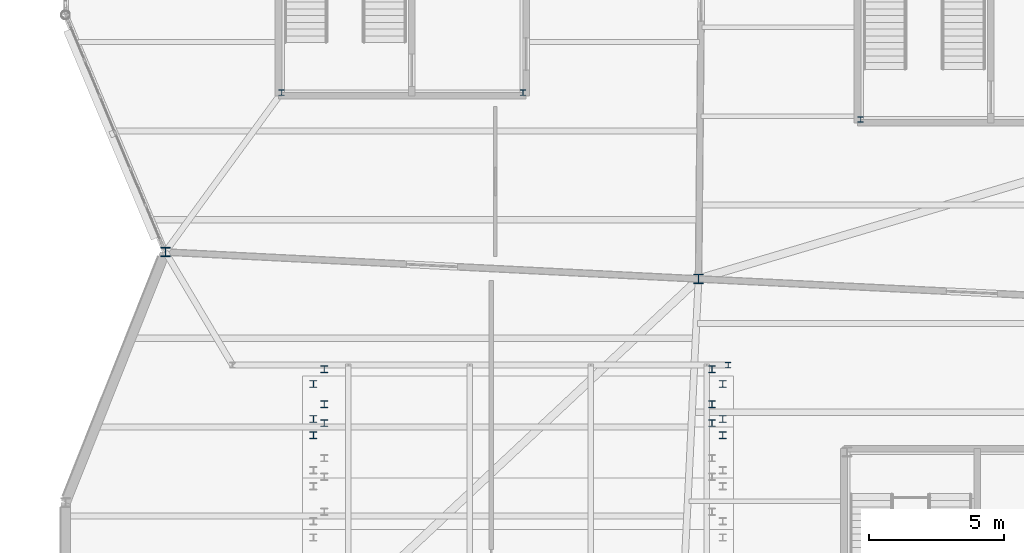
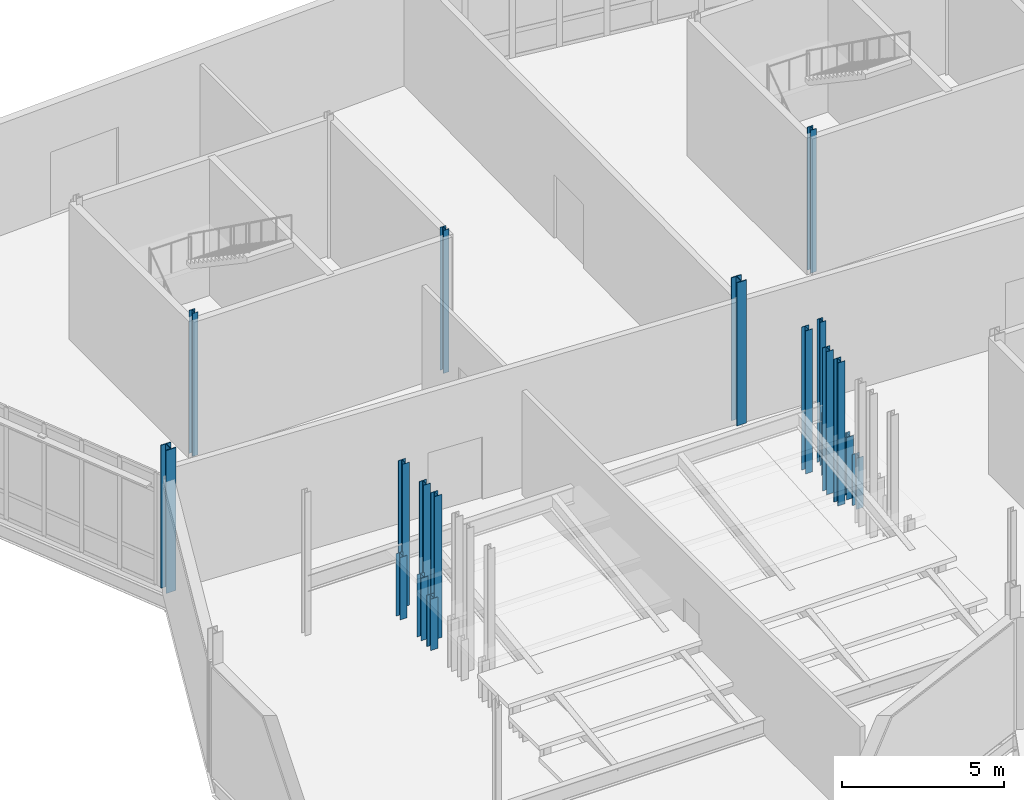
# One storey, part 3 of 113: 18 columns.
"""IFC4 building model written with IfcOpenShell, lengths in metres."""

from ifc_helpers import new_model, si_unit, direction, frame, origin, origin_2d, place, context, subcontext, project, spatial, i_section, extrude, material, material_profile, profile_set, type_object, element, save


model = new_model("IFC4")

# Units and contexts
model_context = context("Model", 3, precision=1e-05, world=origin(), true_north=direction((0.0, 1.0)))
body_context = subcontext(model_context, "Body", "Model", "MODEL_VIEW")
ifc_project = project(units=[si_unit("LENGTHUNIT", "METRE"), si_unit("AREAUNIT", "SQUARE_METRE"), si_unit("VOLUMEUNIT", "CUBIC_METRE"), si_unit("PLANEANGLEUNIT", "RADIAN"), si_unit("MASSUNIT", "GRAM", prefix="KILO")], contexts=[model_context])

# Site, building, storey
site_placement = place(None, origin())
site = spatial("IfcSite", under=ifc_project, at=site_placement, CompositionType="ELEMENT")
building_placement = place(site_placement, origin())
building = spatial("IfcBuilding", under=site, at=building_placement, Name="Tameran Prism Museum", CompositionType="ELEMENT")
storey_placement = place(building_placement, origin())
storey = spatial("IfcBuildingStorey", under=building, at=storey_placement, Name="L00", CompositionType="ELEMENT", Elevation=0.0)

# Columns
ifc_material_1 = material(Name="Steel Grade 300PLUS (300 MPa)", Category="steel")
ifc_material_profile_1 = material_profile(ifc_material_1, i_section(OverallWidth=0.205078125, OverallDepth=0.2099609375, WebThickness=0.00927734375, FlangeThickness=0.01416015625, FilletRadius=0.01025390625, at=origin_2d()))
ifc_profile_set_1 = profile_set([ifc_material_profile_1])
column_type_1 = type_object("IfcColumnType", Name="COL-UC200", PredefinedType="COLUMN", material=ifc_profile_set_1)
for number, where, z_axis, x_axis, name in (
    (1, (8.02001953125, 28.919921875, 0.0), (0.0, 0.0, 1.0), (1.0, 0.0, 0.0), "Column CC-10-1 L00"),
    (2, (16.97998046875, 28.919921875, 0.0), (0.0, 0.0, 1.0), (1.0, 0.0, 0.0), "Column CC-10-2 L00"),
    (3, (29.52001953125, 27.919921875, 0.0), (0.0, 0.0, 1.0), (1.0, 0.0, 0.0), "Column CC-12-1 L00"),
    (4, (24.60009765625, 18.800048828125, 0.0), (0.0, 0.0, 1.0), (1.0, 0.0, 0.0), "Column CA-04 L00"),
):
    element("IfcColumn", number, at=place(storey_placement, frame(where, z_axis=z_axis, x_axis=x_axis)), inside=storey, type_object=column_type_1, Name=name, PredefinedType="COLUMN", context=body_context, shape_type="SweptSolid", body=[
        extrude(i_section(OverallWidth=0.205078125, OverallDepth=0.2099609375, WebThickness=0.00927734375, FlangeThickness=0.01416015625, FilletRadius=0.01025390625, at=origin_2d()), origin(), (0.0, 0.0, 1.0), 5.39990234375),
    ])
ifc_material_2 = material(Name="Steel Grade 300PLUS (300 MPa)", Category="steel")
ifc_material_profile_2 = material_profile(ifc_material_2, i_section(OverallWidth=0.25390625, OverallDepth=0.25390625, WebThickness=0.008544921875, FlangeThickness=0.01416015625, FilletRadius=0.0126953125, at=origin_2d()))
ifc_profile_set_2 = profile_set([ifc_material_profile_2])
column_type_2 = type_object("IfcColumnType", Name="COL-UC250B", PredefinedType="COLUMN", material=ifc_profile_set_2)
for number, where, z_axis, x_axis, name in (
    (5, (9.199951171875, 16.199951171875, 0.0), (0.0, 0.0, 1.0), (1.0, 0.0, 0.0), "Auditorium Tier Riser Column CAT-L0-18"),
    (6, (24.39990234375, 16.199951171875, 0.0), (0.0, 0.0, 1.0), (1.0, 0.0, 0.0), "Auditorium Tier Riser Column CAT-L0-20"),
):
    element("IfcColumn", number, at=place(storey_placement, frame(where, z_axis=z_axis, x_axis=x_axis)), inside=storey, type_object=column_type_2, Name=name, PredefinedType="COLUMN", context=body_context, shape_type="SweptSolid", body=[
        extrude(i_section(OverallWidth=0.25390625, OverallDepth=0.25390625, WebThickness=0.008544921875, FlangeThickness=0.01416015625, FilletRadius=0.0126953125, at=origin_2d()), origin(), (0.0, 0.0, 1.0), 1.93505859375),
    ])
for number, where, z_axis, x_axis, name in (
    (7, (9.199951171875, 16.800048828125, 0.0), (0.0, 0.0, 1.0), (1.0, 0.0, 0.0), "Auditorium Tier Riser Column CAT-L0-21"),
    (8, (9.199951171875, 18.10009765625, 0.0), (0.0, 0.0, 1.0), (1.0, 0.0, 0.0), "Auditorium Tier Riser Column CAT-L0-22"),
    (9, (24.39990234375, 16.800048828125, 0.0), (0.0, 0.0, 1.0), (1.0, 0.0, 0.0), "Auditorium Tier Riser Column CAT-L0-23"),
    (10, (24.39990234375, 18.10009765625, 0.0), (0.0, 0.0, 1.0), (1.0, 0.0, 0.0), "Auditorium Tier Riser Column CAT-L0-24"),
):
    element("IfcColumn", number, at=place(storey_placement, frame(where, z_axis=z_axis, x_axis=x_axis)), inside=storey, type_object=column_type_2, Name=name, PredefinedType="COLUMN", context=body_context, shape_type="SweptSolid", body=[
        extrude(i_section(OverallWidth=0.25390625, OverallDepth=0.25390625, WebThickness=0.008544921875, FlangeThickness=0.01416015625, FilletRadius=0.0126953125, at=origin_2d()), origin(), (0.0, 0.0, 1.0), 2.35498046875),
    ])
for number, where, z_axis, x_axis, name in (
    (11, (9.60009765625, 16.64990234375, 0.0), (0.0, 0.0, 1.0), (1.0, 0.0, 0.0), "Balcony Subframe L00 Column CAB-L0-30"),
    (12, (24.0, 16.64990234375, 0.0), (0.0, 0.0, 1.0), (1.0, 0.0, 0.0), "Balcony Subframe L00 Column CAB-L0-32"),
    (13, (9.60009765625, 17.35009765625, 0.0), (0.0, 0.0, 1.0), (1.0, 0.0, 0.0), "Balcony Subframe L00 Column CAB-L0-33"),
    (14, (9.60009765625, 18.64990234375, 0.0), (0.0, 0.0, 1.0), (1.0, 0.0, 0.0), "Balcony Subframe L00 Column CAB-L0-34"),
    (15, (24.0, 17.35009765625, 0.0), (0.0, 0.0, 1.0), (1.0, 0.0, 0.0), "Balcony Subframe L00 Column CAB-L0-35"),
    (16, (24.0, 18.64990234375, 0.0), (0.0, 0.0, 1.0), (1.0, 0.0, 0.0), "Balcony Subframe L00 Column CAB-L0-36"),
):
    element("IfcColumn", number, at=place(storey_placement, frame(where, z_axis=z_axis, x_axis=x_axis)), inside=storey, type_object=column_type_2, Name=name, PredefinedType="COLUMN", context=body_context, shape_type="SweptSolid", body=[
        extrude(i_section(OverallWidth=0.25390625, OverallDepth=0.25390625, WebThickness=0.008544921875, FlangeThickness=0.01416015625, FilletRadius=0.0126953125, at=origin_2d()), origin(), (0.0, 0.0, 1.0), 5.39990234375),
    ])
ifc_material_3 = material(Name="Steel Grade 350 (350 MPa)", Category="steel")
ifc_material_profile_3 = material_profile(ifc_material_3, i_section(OverallWidth=0.35009765625, OverallDepth=0.35009765625, WebThickness=0.02001953125, FlangeThickness=0.028076171875, at=origin_2d()))
ifc_profile_set_3 = profile_set([ifc_material_profile_3])
column_type_3 = type_object("IfcColumnType", Name="COL-WC350", PredefinedType="COLUMN", material=ifc_profile_set_3)
for number, where, z_axis, x_axis, name in (
    (17, (3.699951171875, 23.0, 0.0), (0.0, 0.0, 1.0), (1.0, 0.0, 0.0), "Column CV-09 L00"),
    (18, (23.5, 22.0, 0.0), (0.0, 0.0, 1.0), (1.0, 0.0, 0.0), "Column CV-14 L00"),
):
    element("IfcColumn", number, at=place(storey_placement, frame(where, z_axis=z_axis, x_axis=x_axis)), inside=storey, type_object=column_type_3, Name=name, PredefinedType="COLUMN", context=body_context, shape_type="SweptSolid", body=[
        extrude(i_section(OverallWidth=0.35009765625, OverallDepth=0.35009765625, WebThickness=0.02001953125, FlangeThickness=0.028076171875, at=origin_2d()), origin(), (0.0, 0.0, 1.0), 5.39990234375),
    ])

save(model, "model.ifc")
